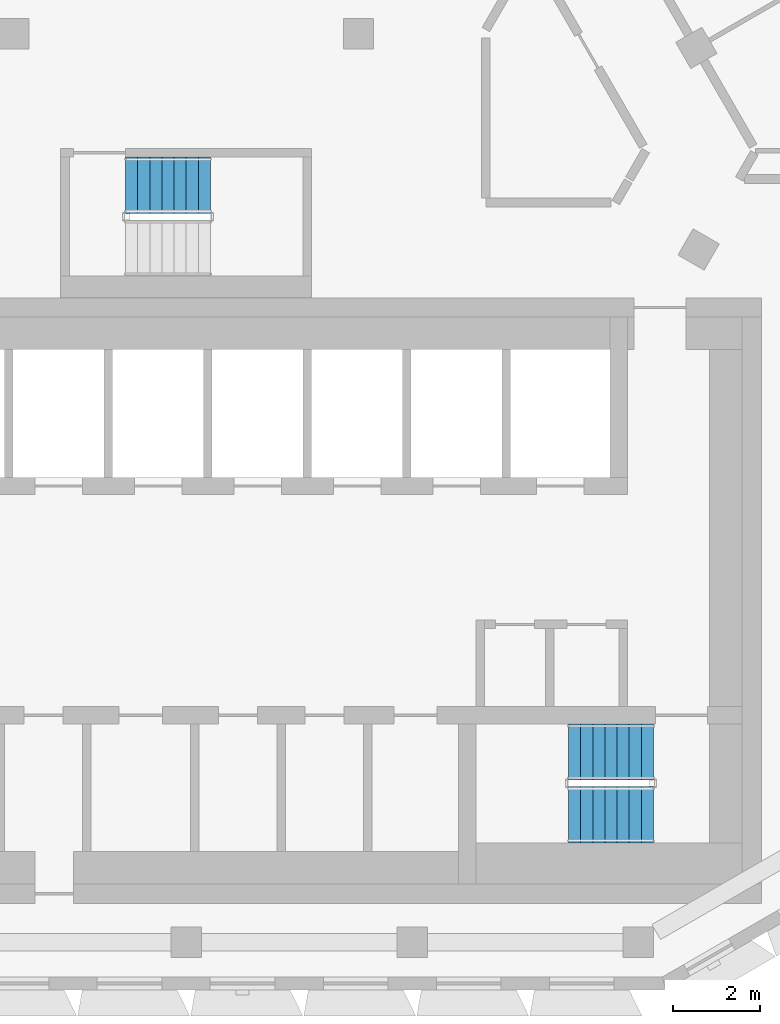
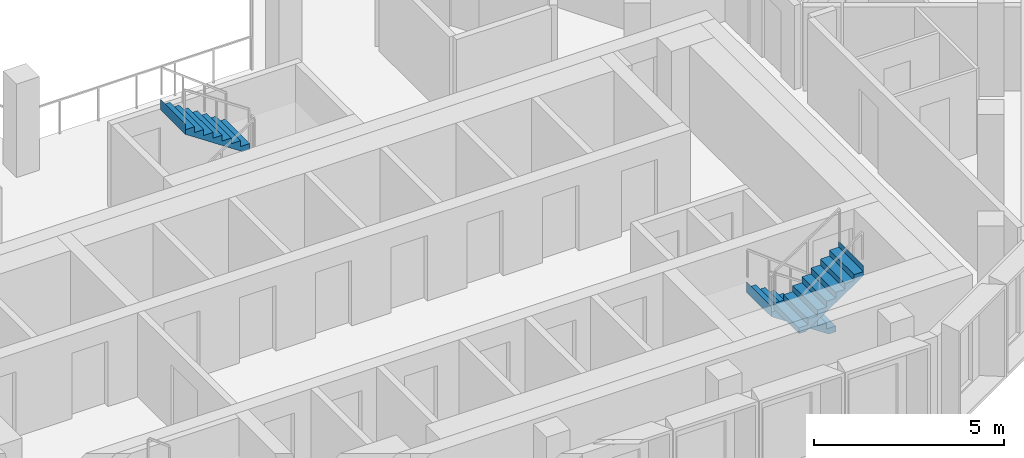
# One storey, part 11 of 16: 3 stair flights, 2 elements without a shape of their own.
"""IFC4 building model written with IfcOpenShell, lengths in metres."""

from ifc_helpers import new_model, si_unit, direction, frame, origin, place, context, subcontext, project, spatial, triangles, material, type_object, element, aggregate, save


model = new_model("IFC4")

# Units and contexts
model_context = context("Model", 3, precision=1e-05, world=origin(), true_north=direction((0.0, 1.0)))
body_context = subcontext(model_context, "Body", "Model", "MODEL_VIEW")
ifc_project = project(units=[si_unit("LENGTHUNIT", "METRE"), si_unit("AREAUNIT", "SQUARE_METRE"), si_unit("VOLUMEUNIT", "CUBIC_METRE"), si_unit("PLANEANGLEUNIT", "RADIAN"), si_unit("MASSUNIT", "GRAM", prefix="KILO")], contexts=[model_context])

# Site, building, storey
site_placement = place(None, origin())
site = spatial("IfcSite", under=ifc_project, at=site_placement, CompositionType="ELEMENT")
building_placement = place(site_placement, origin())
building = spatial("IfcBuilding", under=site, at=building_placement, Name="Beryl Residences", CompositionType="ELEMENT")
storey_placement = place(building_placement, frame((0.0, 0.0, 232.800048828125)))
storey = spatial("IfcBuildingStorey", under=building, at=storey_placement, Name="L72", CompositionType="ELEMENT", Elevation=232.800048828125)

# Stair, stair flights
ifc_material_1 = material(Name="Concrete C40/50", Category="concrete")
stair_type = type_object("IfcStairType", Name="ST1 protected exit stair, half-turn, 1300 mm flights", PredefinedType="HALF_TURN_STAIR", material=ifc_material_1)
stair_1_placement = place(storey_placement, origin())
stair_1 = element("IfcStair", 1, at=stair_1_placement, inside=storey, type_object=stair_type, Name="L72 PROTECTED EXIT STAIR ST-3", PredefinedType="HALF_TURN_STAIR")
ifc_material_2 = material(Name="Concrete C40/50", Category="concrete")
stair_flight_type = type_object("IfcStairFlightType", Name="SF1 stair flight 1300 mm", PredefinedType="STRAIGHT", material=ifc_material_2)
stair_flight_1_placement = place(storey_placement, frame((10.800048828125, -15.5, 0.0), z_axis=(0.0, 0.0, 1.0), x_axis=(-1.0, 0.0, 0.0)))
stair_flight_1 = element("IfcStairFlight", 2, at=stair_flight_1_placement, type_object=stair_flight_type, Name="ST-3 flight 1", NumberOfRisers=8, NumberOfTreads=7, PredefinedType="STRAIGHT", RiserHeight=0.1875, TreadLength=0.28, context=body_context, shape_type="Tessellation", body=[
    triangles([(0.0, -0.64990234375, 0.0), (0.0, -0.324951171875, 0.0), (0.0, 0.0, 0.0), (0.0, 0.324951171875, 0.0), (0.0, 0.64990234375, 0.0), (0.0, -0.64990234375, 0.1875), (0.0, -0.324951171875, 0.1875), (0.0, 0.0, 0.1875), (0.0, 0.324951171875, 0.1875), (0.0, 0.64990234375, 0.1875), (0.280029296875, -0.64990234375, 0.1875), (0.280029296875, -0.324951171875, 0.1875), (0.280029296875, 0.0, 0.1875), (0.280029296875, 0.324951171875, 0.1875), (0.280029296875, 0.64990234375, 0.1875), (0.280029296875, -0.64990234375, 0.375), (0.280029296875, -0.324951171875, 0.375), (0.280029296875, 0.0, 0.375), (0.280029296875, 0.324951171875, 0.375), (0.280029296875, 0.64990234375, 0.375), (0.56005859375, -0.64990234375, 0.375), (0.56005859375, -0.324951171875, 0.375), (0.56005859375, 0.0, 0.375), (0.56005859375, 0.324951171875, 0.375), (0.56005859375, 0.64990234375, 0.375), (0.56005859375, -0.64990234375, 0.5625), (0.56005859375, -0.324951171875, 0.5625), (0.56005859375, 0.0, 0.5625), (0.56005859375, 0.324951171875, 0.5625), (0.56005859375, 0.64990234375, 0.5625), (0.840087890625, -0.64990234375, 0.5625), (0.840087890625, -0.324951171875, 0.5625), (0.840087890625, 0.0, 0.5625), (0.840087890625, 0.324951171875, 0.5625), (0.840087890625, 0.64990234375, 0.5625), (0.840087890625, -0.64990234375, 0.75), (0.840087890625, -0.324951171875, 0.75), (0.840087890625, 0.0, 0.75), (0.840087890625, 0.324951171875, 0.75), (0.840087890625, 0.64990234375, 0.75), (1.1201171875, -0.64990234375, 0.75), (1.1201171875, -0.324951171875, 0.75), (1.1201171875, 0.0, 0.75), (1.1201171875, 0.324951171875, 0.75), (1.1201171875, 0.64990234375, 0.75), (1.1201171875, -0.64990234375, 0.9375), (1.1201171875, -0.324951171875, 0.9375), (1.1201171875, 0.0, 0.9375), (1.1201171875, 0.324951171875, 0.9375), (1.1201171875, 0.64990234375, 0.9375), (1.39990234375, -0.64990234375, 0.9375), (1.39990234375, -0.324951171875, 0.9375), (1.39990234375, 0.0, 0.9375), (1.39990234375, 0.324951171875, 0.9375), (1.39990234375, 0.64990234375, 0.9375), (1.39990234375, -0.64990234375, 1.125), (1.39990234375, -0.324951171875, 1.125), (1.39990234375, 0.0, 1.125), (1.39990234375, 0.324951171875, 1.125), (1.39990234375, 0.64990234375, 1.125), (1.679931640625, -0.64990234375, 1.125), (1.679931640625, -0.324951171875, 1.125), (1.679931640625, 0.0, 1.125), (1.679931640625, 0.324951171875, 1.125), (1.679931640625, 0.64990234375, 1.125), (1.679931640625, -0.64990234375, 1.3125), (1.679931640625, -0.324951171875, 1.3125), (1.679931640625, 0.0, 1.3125), (1.679931640625, 0.324951171875, 1.3125), (1.679931640625, 0.64990234375, 1.3125), (1.9599609375, -0.64990234375, 1.3125), (1.9599609375, -0.324951171875, 1.3125), (1.9599609375, 0.0, 1.3125), (1.9599609375, 0.324951171875, 1.3125), (1.9599609375, 0.64990234375, 1.3125), (1.9599609375, -0.64990234375, 1.5), (1.9599609375, -0.324951171875, 1.5), (1.9599609375, 0.0, 1.5), (1.9599609375, 0.324951171875, 1.5), (1.9599609375, 0.64990234375, 1.5), (1.9609375, -0.64990234375, 1.5), (1.9609375, -0.324951171875, 1.5), (1.9609375, 0.0, 1.5), (1.9609375, 0.324951171875, 1.5), (1.9609375, 0.64990234375, 1.5), (1.9609375, -0.64990234375, 1.16796875), (1.9609375, -0.324951171875, 1.16796875), (1.9609375, 0.0, 1.16796875), (1.9609375, 0.324951171875, 1.16796875), (1.9609375, 0.64990234375, 1.16796875), (0.216796875, -0.64990234375, 0.0), (0.216796875, -0.324951171875, 0.0), (0.216796875, 0.0, 0.0), (0.216796875, 0.324951171875, 0.0), (0.216796875, 0.64990234375, 0.0)], [[1, 6, 7], [1, 7, 2], [2, 7, 8], [2, 8, 3], [3, 8, 9], [3, 9, 4], [4, 9, 10], [4, 10, 5], [6, 11, 12], [6, 12, 7], [7, 12, 13], [7, 13, 8], [8, 13, 14], [8, 14, 9], [9, 14, 15], [9, 15, 10], [11, 16, 17], [11, 17, 12], [12, 17, 18], [12, 18, 13], [13, 18, 19], [13, 19, 14], [14, 19, 20], [14, 20, 15], [16, 21, 22], [16, 22, 17], [17, 22, 23], [17, 23, 18], [18, 23, 24], [18, 24, 19], [19, 24, 25], [19, 25, 20], [21, 26, 27], [21, 27, 22], [22, 27, 28], [22, 28, 23], [23, 28, 29], [23, 29, 24], [24, 29, 30], [24, 30, 25], [26, 31, 32], [26, 32, 27], [27, 32, 33], [27, 33, 28], [28, 33, 34], [28, 34, 29], [29, 34, 35], [29, 35, 30], [31, 36, 37], [31, 37, 32], [32, 37, 38], [32, 38, 33], [33, 38, 39], [33, 39, 34], [34, 39, 40], [34, 40, 35], [36, 41, 42], [36, 42, 37], [37, 42, 43], [37, 43, 38], [38, 43, 44], [38, 44, 39], [39, 44, 45], [39, 45, 40], [41, 46, 47], [41, 47, 42], [42, 47, 48], [42, 48, 43], [43, 48, 49], [43, 49, 44], [44, 49, 50], [44, 50, 45], [46, 51, 52], [46, 52, 47], [47, 52, 53], [47, 53, 48], [48, 53, 54], [48, 54, 49], [49, 54, 55], [49, 55, 50], [51, 56, 57], [51, 57, 52], [52, 57, 58], [52, 58, 53], [53, 58, 59], [53, 59, 54], [54, 59, 60], [54, 60, 55], [56, 61, 62], [56, 62, 57], [57, 62, 63], [57, 63, 58], [58, 63, 64], [58, 64, 59], [59, 64, 65], [59, 65, 60], [61, 66, 67], [61, 67, 62], [62, 67, 68], [62, 68, 63], [63, 68, 69], [63, 69, 64], [64, 69, 70], [64, 70, 65], [66, 71, 72], [66, 72, 67], [67, 72, 73], [67, 73, 68], [68, 73, 74], [68, 74, 69], [69, 74, 75], [69, 75, 70], [71, 76, 77], [71, 77, 72], [72, 77, 78], [72, 78, 73], [73, 78, 79], [73, 79, 74], [74, 79, 80], [74, 80, 75], [76, 81, 82], [76, 82, 77], [77, 82, 83], [77, 83, 78], [78, 83, 84], [78, 84, 79], [79, 84, 85], [79, 85, 80], [81, 86, 87], [81, 87, 82], [82, 87, 88], [82, 88, 83], [83, 88, 89], [83, 89, 84], [84, 89, 90], [84, 90, 85], [86, 91, 92], [86, 92, 87], [87, 92, 93], [87, 93, 88], [88, 93, 94], [88, 94, 89], [89, 94, 95], [89, 95, 90], [91, 1, 2], [91, 2, 92], [92, 2, 3], [92, 3, 93], [93, 3, 4], [93, 4, 94], [94, 4, 5], [94, 5, 95], [1, 91, 86], [5, 90, 95], [86, 81, 76], [90, 80, 85], [86, 76, 71], [90, 75, 80], [86, 71, 66], [90, 70, 75], [86, 66, 61], [90, 65, 70], [61, 56, 51], [65, 55, 60], [86, 61, 51], [90, 55, 65], [51, 46, 41], [55, 45, 50], [86, 51, 41], [90, 45, 55], [41, 36, 31], [45, 35, 40], [86, 41, 31], [90, 35, 45], [31, 26, 21], [35, 25, 30], [86, 31, 21], [90, 25, 35], [21, 16, 11], [25, 15, 20], [86, 21, 11], [90, 15, 25], [1, 86, 11], [5, 15, 90], [11, 6, 1], [15, 5, 10]], closed=True),
])
stair_flight_2_placement = place(storey_placement, frame((8.840087890625, -16.949951171875, 1.5), z_axis=(0.0, 0.0, 1.0), x_axis=(1.0, 0.0, 0.0)))
stair_flight_2 = element("IfcStairFlight", 3, at=stair_flight_2_placement, type_object=stair_flight_type, Name="ST-3 flight 2", NumberOfRisers=8, NumberOfTreads=7, PredefinedType="STRAIGHT", RiserHeight=0.1875, TreadLength=0.28, context=body_context, shape_type="Tessellation", body=[
    triangles([(0.0, -0.64990234375, 0.0), (0.0, -0.324951171875, 0.0), (0.0, 0.0, 0.0), (0.0, 0.324951171875, 0.0), (0.0, 0.64990234375, 0.0), (0.0, -0.64990234375, 0.1875), (0.0, -0.324951171875, 0.1875), (0.0, 0.0, 0.1875), (0.0, 0.324951171875, 0.1875), (0.0, 0.64990234375, 0.1875), (0.280029296875, -0.64990234375, 0.1875), (0.280029296875, -0.324951171875, 0.1875), (0.280029296875, 0.0, 0.1875), (0.280029296875, 0.324951171875, 0.1875), (0.280029296875, 0.64990234375, 0.1875), (0.280029296875, -0.64990234375, 0.375), (0.280029296875, -0.324951171875, 0.375), (0.280029296875, 0.0, 0.375), (0.280029296875, 0.324951171875, 0.375), (0.280029296875, 0.64990234375, 0.375), (0.56005859375, -0.64990234375, 0.375), (0.56005859375, -0.324951171875, 0.375), (0.56005859375, 0.0, 0.375), (0.56005859375, 0.324951171875, 0.375), (0.56005859375, 0.64990234375, 0.375), (0.56005859375, -0.64990234375, 0.5625), (0.56005859375, -0.324951171875, 0.5625), (0.56005859375, 0.0, 0.5625), (0.56005859375, 0.324951171875, 0.5625), (0.56005859375, 0.64990234375, 0.5625), (0.840087890625, -0.64990234375, 0.5625), (0.840087890625, -0.324951171875, 0.5625), (0.840087890625, 0.0, 0.5625), (0.840087890625, 0.324951171875, 0.5625), (0.840087890625, 0.64990234375, 0.5625), (0.840087890625, -0.64990234375, 0.75), (0.840087890625, -0.324951171875, 0.75), (0.840087890625, 0.0, 0.75), (0.840087890625, 0.324951171875, 0.75), (0.840087890625, 0.64990234375, 0.75), (1.1201171875, -0.64990234375, 0.75), (1.1201171875, -0.324951171875, 0.75), (1.1201171875, 0.0, 0.75), (1.1201171875, 0.324951171875, 0.75), (1.1201171875, 0.64990234375, 0.75), (1.1201171875, -0.64990234375, 0.9375), (1.1201171875, -0.324951171875, 0.9375), (1.1201171875, 0.0, 0.9375), (1.1201171875, 0.324951171875, 0.9375), (1.1201171875, 0.64990234375, 0.9375), (1.39990234375, -0.64990234375, 0.9375), (1.39990234375, -0.324951171875, 0.9375), (1.39990234375, 0.0, 0.9375), (1.39990234375, 0.324951171875, 0.9375), (1.39990234375, 0.64990234375, 0.9375), (1.39990234375, -0.64990234375, 1.125), (1.39990234375, -0.324951171875, 1.125), (1.39990234375, 0.0, 1.125), (1.39990234375, 0.324951171875, 1.125), (1.39990234375, 0.64990234375, 1.125), (1.679931640625, -0.64990234375, 1.125), (1.679931640625, -0.324951171875, 1.125), (1.679931640625, 0.0, 1.125), (1.679931640625, 0.324951171875, 1.125), (1.679931640625, 0.64990234375, 1.125), (1.679931640625, -0.64990234375, 1.3125), (1.679931640625, -0.324951171875, 1.3125), (1.679931640625, 0.0, 1.3125), (1.679931640625, 0.324951171875, 1.3125), (1.679931640625, 0.64990234375, 1.3125), (1.9599609375, -0.64990234375, 1.3125), (1.9599609375, -0.324951171875, 1.3125), (1.9599609375, 0.0, 1.3125), (1.9599609375, 0.324951171875, 1.3125), (1.9599609375, 0.64990234375, 1.3125), (1.9599609375, -0.64990234375, 1.5), (1.9599609375, -0.324951171875, 1.5), (1.9599609375, 0.0, 1.5), (1.9599609375, 0.324951171875, 1.5), (1.9599609375, 0.64990234375, 1.5), (1.9609375, -0.64990234375, 1.5), (1.9609375, -0.324951171875, 1.5), (1.9609375, 0.0, 1.5), (1.9609375, 0.324951171875, 1.5), (1.9609375, 0.64990234375, 1.5), (1.9609375, -0.64990234375, 1.16796875), (1.9609375, -0.324951171875, 1.16796875), (1.9609375, 0.0, 1.16796875), (1.9609375, 0.324951171875, 1.16796875), (1.9609375, 0.64990234375, 1.16796875), (0.216796875, -0.64990234375, 0.0), (0.216796875, -0.324951171875, 0.0), (0.216796875, 0.0, 0.0), (0.216796875, 0.324951171875, 0.0), (0.216796875, 0.64990234375, 0.0)], [[1, 6, 7], [1, 7, 2], [2, 7, 8], [2, 8, 3], [3, 8, 9], [3, 9, 4], [4, 9, 10], [4, 10, 5], [6, 11, 12], [6, 12, 7], [7, 12, 13], [7, 13, 8], [8, 13, 14], [8, 14, 9], [9, 14, 15], [9, 15, 10], [11, 16, 17], [11, 17, 12], [12, 17, 18], [12, 18, 13], [13, 18, 19], [13, 19, 14], [14, 19, 20], [14, 20, 15], [16, 21, 22], [16, 22, 17], [17, 22, 23], [17, 23, 18], [18, 23, 24], [18, 24, 19], [19, 24, 25], [19, 25, 20], [21, 26, 27], [21, 27, 22], [22, 27, 28], [22, 28, 23], [23, 28, 29], [23, 29, 24], [24, 29, 30], [24, 30, 25], [26, 31, 32], [26, 32, 27], [27, 32, 33], [27, 33, 28], [28, 33, 34], [28, 34, 29], [29, 34, 35], [29, 35, 30], [31, 36, 37], [31, 37, 32], [32, 37, 38], [32, 38, 33], [33, 38, 39], [33, 39, 34], [34, 39, 40], [34, 40, 35], [36, 41, 42], [36, 42, 37], [37, 42, 43], [37, 43, 38], [38, 43, 44], [38, 44, 39], [39, 44, 45], [39, 45, 40], [41, 46, 47], [41, 47, 42], [42, 47, 48], [42, 48, 43], [43, 48, 49], [43, 49, 44], [44, 49, 50], [44, 50, 45], [46, 51, 52], [46, 52, 47], [47, 52, 53], [47, 53, 48], [48, 53, 54], [48, 54, 49], [49, 54, 55], [49, 55, 50], [51, 56, 57], [51, 57, 52], [52, 57, 58], [52, 58, 53], [53, 58, 59], [53, 59, 54], [54, 59, 60], [54, 60, 55], [56, 61, 62], [56, 62, 57], [57, 62, 63], [57, 63, 58], [58, 63, 64], [58, 64, 59], [59, 64, 65], [59, 65, 60], [61, 66, 67], [61, 67, 62], [62, 67, 68], [62, 68, 63], [63, 68, 69], [63, 69, 64], [64, 69, 70], [64, 70, 65], [66, 71, 72], [66, 72, 67], [67, 72, 73], [67, 73, 68], [68, 73, 74], [68, 74, 69], [69, 74, 75], [69, 75, 70], [71, 76, 77], [71, 77, 72], [72, 77, 78], [72, 78, 73], [73, 78, 79], [73, 79, 74], [74, 79, 80], [74, 80, 75], [76, 81, 82], [76, 82, 77], [77, 82, 83], [77, 83, 78], [78, 83, 84], [78, 84, 79], [79, 84, 85], [79, 85, 80], [81, 86, 87], [81, 87, 82], [82, 87, 88], [82, 88, 83], [83, 88, 89], [83, 89, 84], [84, 89, 90], [84, 90, 85], [86, 91, 92], [86, 92, 87], [87, 92, 93], [87, 93, 88], [88, 93, 94], [88, 94, 89], [89, 94, 95], [89, 95, 90], [91, 1, 2], [91, 2, 92], [92, 2, 3], [92, 3, 93], [93, 3, 4], [93, 4, 94], [94, 4, 5], [94, 5, 95], [1, 91, 86], [5, 90, 95], [86, 81, 76], [90, 80, 85], [86, 76, 71], [90, 75, 80], [86, 71, 66], [90, 70, 75], [86, 66, 61], [90, 65, 70], [61, 56, 51], [65, 55, 60], [86, 61, 51], [90, 55, 65], [51, 46, 41], [55, 45, 50], [86, 51, 41], [90, 45, 55], [41, 36, 31], [45, 35, 40], [86, 41, 31], [90, 35, 45], [31, 26, 21], [35, 25, 30], [86, 31, 21], [90, 25, 35], [21, 16, 11], [25, 15, 20], [86, 21, 11], [90, 15, 25], [1, 86, 11], [5, 15, 90], [11, 6, 1], [15, 5, 10]], closed=True),
])
aggregate(stair_1, [stair_flight_1, stair_flight_2])

# Stair, stair flight
stair_2_placement = place(storey_placement, origin())
stair_2 = element("IfcStair", 4, at=stair_2_placement, inside=storey, type_object=stair_type, Name="L72 PROTECTED EXIT STAIR ST-4", PredefinedType="HALF_TURN_STAIR")
stair_flight_3_placement = place(storey_placement, frame((0.56005859375, -2.39990234375, 1.5), z_axis=(0.0, 0.0, 1.0), x_axis=(-1.0, 0.0, 0.0)))
stair_flight_3 = element("IfcStairFlight", 5, at=stair_flight_3_placement, type_object=stair_flight_type, Name="ST-4 flight 2", NumberOfRisers=8, NumberOfTreads=7, PredefinedType="STRAIGHT", RiserHeight=0.1875, TreadLength=0.28, context=body_context, shape_type="Tessellation", body=[
    triangles([(0.0, -0.64990234375, 0.0), (0.0, -0.324951171875, 0.0), (0.0, 0.0, 0.0), (0.0, 0.324951171875, 0.0), (0.0, 0.64990234375, 0.0), (0.0, -0.64990234375, 0.1875), (0.0, -0.324951171875, 0.1875), (0.0, 0.0, 0.1875), (0.0, 0.324951171875, 0.1875), (0.0, 0.64990234375, 0.1875), (0.280029296875, -0.64990234375, 0.1875), (0.280029296875, -0.324951171875, 0.1875), (0.280029296875, 0.0, 0.1875), (0.280029296875, 0.324951171875, 0.1875), (0.280029296875, 0.64990234375, 0.1875), (0.280029296875, -0.64990234375, 0.375), (0.280029296875, -0.324951171875, 0.375), (0.280029296875, 0.0, 0.375), (0.280029296875, 0.324951171875, 0.375), (0.280029296875, 0.64990234375, 0.375), (0.56005859375, -0.64990234375, 0.375), (0.56005859375, -0.324951171875, 0.375), (0.56005859375, 0.0, 0.375), (0.56005859375, 0.324951171875, 0.375), (0.56005859375, 0.64990234375, 0.375), (0.56005859375, -0.64990234375, 0.5625), (0.56005859375, -0.324951171875, 0.5625), (0.56005859375, 0.0, 0.5625), (0.56005859375, 0.324951171875, 0.5625), (0.56005859375, 0.64990234375, 0.5625), (0.840087890625, -0.64990234375, 0.5625), (0.840087890625, -0.324951171875, 0.5625), (0.840087890625, 0.0, 0.5625), (0.840087890625, 0.324951171875, 0.5625), (0.840087890625, 0.64990234375, 0.5625), (0.840087890625, -0.64990234375, 0.75), (0.840087890625, -0.324951171875, 0.75), (0.840087890625, 0.0, 0.75), (0.840087890625, 0.324951171875, 0.75), (0.840087890625, 0.64990234375, 0.75), (1.1201171875, -0.64990234375, 0.75), (1.1201171875, -0.324951171875, 0.75), (1.1201171875, 0.0, 0.75), (1.1201171875, 0.324951171875, 0.75), (1.1201171875, 0.64990234375, 0.75), (1.1201171875, -0.64990234375, 0.9375), (1.1201171875, -0.324951171875, 0.9375), (1.1201171875, 0.0, 0.9375), (1.1201171875, 0.324951171875, 0.9375), (1.1201171875, 0.64990234375, 0.9375), (1.39990234375, -0.64990234375, 0.9375), (1.39990234375, -0.324951171875, 0.9375), (1.39990234375, 0.0, 0.9375), (1.39990234375, 0.324951171875, 0.9375), (1.39990234375, 0.64990234375, 0.9375), (1.39990234375, -0.64990234375, 1.125), (1.39990234375, -0.324951171875, 1.125), (1.39990234375, 0.0, 1.125), (1.39990234375, 0.324951171875, 1.125), (1.39990234375, 0.64990234375, 1.125), (1.679931640625, -0.64990234375, 1.125), (1.679931640625, -0.324951171875, 1.125), (1.679931640625, 0.0, 1.125), (1.679931640625, 0.324951171875, 1.125), (1.679931640625, 0.64990234375, 1.125), (1.679931640625, -0.64990234375, 1.3125), (1.679931640625, -0.324951171875, 1.3125), (1.679931640625, 0.0, 1.3125), (1.679931640625, 0.324951171875, 1.3125), (1.679931640625, 0.64990234375, 1.3125), (1.9599609375, -0.64990234375, 1.3125), (1.9599609375, -0.324951171875, 1.3125), (1.9599609375, 0.0, 1.3125), (1.9599609375, 0.324951171875, 1.3125), (1.9599609375, 0.64990234375, 1.3125), (1.9599609375, -0.64990234375, 1.5), (1.9599609375, -0.324951171875, 1.5), (1.9599609375, 0.0, 1.5), (1.9599609375, 0.324951171875, 1.5), (1.9599609375, 0.64990234375, 1.5), (1.9609375, -0.64990234375, 1.5), (1.9609375, -0.324951171875, 1.5), (1.9609375, 0.0, 1.5), (1.9609375, 0.324951171875, 1.5), (1.9609375, 0.64990234375, 1.5), (1.9609375, -0.64990234375, 1.16796875), (1.9609375, -0.324951171875, 1.16796875), (1.9609375, 0.0, 1.16796875), (1.9609375, 0.324951171875, 1.16796875), (1.9609375, 0.64990234375, 1.16796875), (0.216796875, -0.64990234375, 0.0), (0.216796875, -0.324951171875, 0.0), (0.216796875, 0.0, 0.0), (0.216796875, 0.324951171875, 0.0), (0.216796875, 0.64990234375, 0.0)], [[1, 6, 7], [1, 7, 2], [2, 7, 8], [2, 8, 3], [3, 8, 9], [3, 9, 4], [4, 9, 10], [4, 10, 5], [6, 11, 12], [6, 12, 7], [7, 12, 13], [7, 13, 8], [8, 13, 14], [8, 14, 9], [9, 14, 15], [9, 15, 10], [11, 16, 17], [11, 17, 12], [12, 17, 18], [12, 18, 13], [13, 18, 19], [13, 19, 14], [14, 19, 20], [14, 20, 15], [16, 21, 22], [16, 22, 17], [17, 22, 23], [17, 23, 18], [18, 23, 24], [18, 24, 19], [19, 24, 25], [19, 25, 20], [21, 26, 27], [21, 27, 22], [22, 27, 28], [22, 28, 23], [23, 28, 29], [23, 29, 24], [24, 29, 30], [24, 30, 25], [26, 31, 32], [26, 32, 27], [27, 32, 33], [27, 33, 28], [28, 33, 34], [28, 34, 29], [29, 34, 35], [29, 35, 30], [31, 36, 37], [31, 37, 32], [32, 37, 38], [32, 38, 33], [33, 38, 39], [33, 39, 34], [34, 39, 40], [34, 40, 35], [36, 41, 42], [36, 42, 37], [37, 42, 43], [37, 43, 38], [38, 43, 44], [38, 44, 39], [39, 44, 45], [39, 45, 40], [41, 46, 47], [41, 47, 42], [42, 47, 48], [42, 48, 43], [43, 48, 49], [43, 49, 44], [44, 49, 50], [44, 50, 45], [46, 51, 52], [46, 52, 47], [47, 52, 53], [47, 53, 48], [48, 53, 54], [48, 54, 49], [49, 54, 55], [49, 55, 50], [51, 56, 57], [51, 57, 52], [52, 57, 58], [52, 58, 53], [53, 58, 59], [53, 59, 54], [54, 59, 60], [54, 60, 55], [56, 61, 62], [56, 62, 57], [57, 62, 63], [57, 63, 58], [58, 63, 64], [58, 64, 59], [59, 64, 65], [59, 65, 60], [61, 66, 67], [61, 67, 62], [62, 67, 68], [62, 68, 63], [63, 68, 69], [63, 69, 64], [64, 69, 70], [64, 70, 65], [66, 71, 72], [66, 72, 67], [67, 72, 73], [67, 73, 68], [68, 73, 74], [68, 74, 69], [69, 74, 75], [69, 75, 70], [71, 76, 77], [71, 77, 72], [72, 77, 78], [72, 78, 73], [73, 78, 79], [73, 79, 74], [74, 79, 80], [74, 80, 75], [76, 81, 82], [76, 82, 77], [77, 82, 83], [77, 83, 78], [78, 83, 84], [78, 84, 79], [79, 84, 85], [79, 85, 80], [81, 86, 87], [81, 87, 82], [82, 87, 88], [82, 88, 83], [83, 88, 89], [83, 89, 84], [84, 89, 90], [84, 90, 85], [86, 91, 92], [86, 92, 87], [87, 92, 93], [87, 93, 88], [88, 93, 94], [88, 94, 89], [89, 94, 95], [89, 95, 90], [91, 1, 2], [91, 2, 92], [92, 2, 3], [92, 3, 93], [93, 3, 4], [93, 4, 94], [94, 4, 5], [94, 5, 95], [1, 91, 86], [5, 90, 95], [86, 81, 76], [90, 80, 85], [86, 76, 71], [90, 75, 80], [86, 71, 66], [90, 70, 75], [86, 66, 61], [90, 65, 70], [61, 56, 51], [65, 55, 60], [86, 61, 51], [90, 55, 65], [51, 46, 41], [55, 45, 50], [86, 51, 41], [90, 45, 55], [41, 36, 31], [45, 35, 40], [86, 41, 31], [90, 35, 45], [31, 26, 21], [35, 25, 30], [86, 31, 21], [90, 25, 35], [21, 16, 11], [25, 15, 20], [86, 21, 11], [90, 15, 25], [1, 86, 11], [5, 15, 90], [11, 6, 1], [15, 5, 10]], closed=True),
])
aggregate(stair_2, [stair_flight_3])

save(model, "model.ifc")
